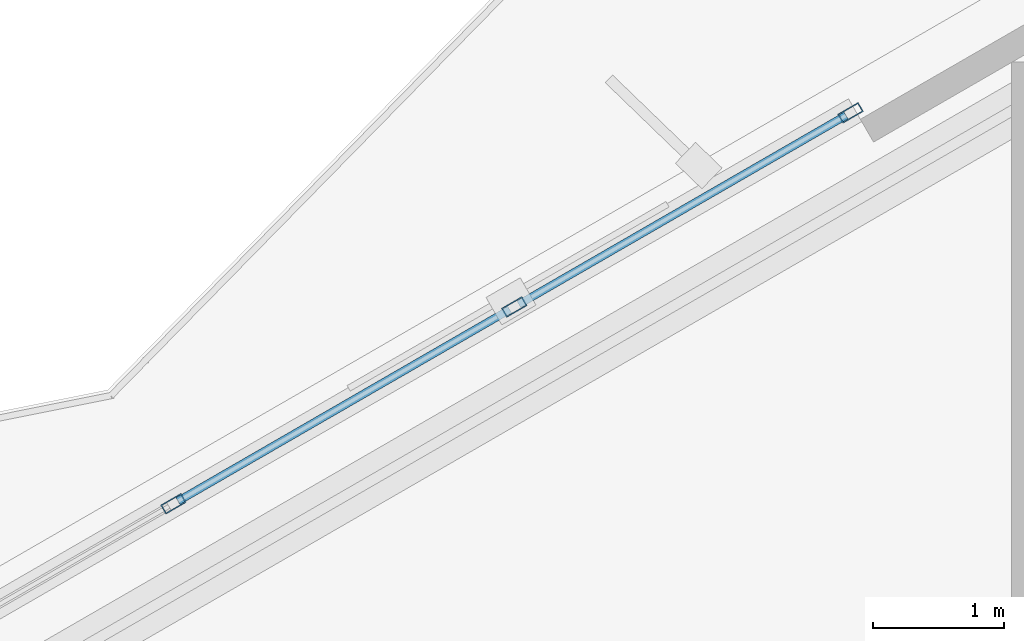
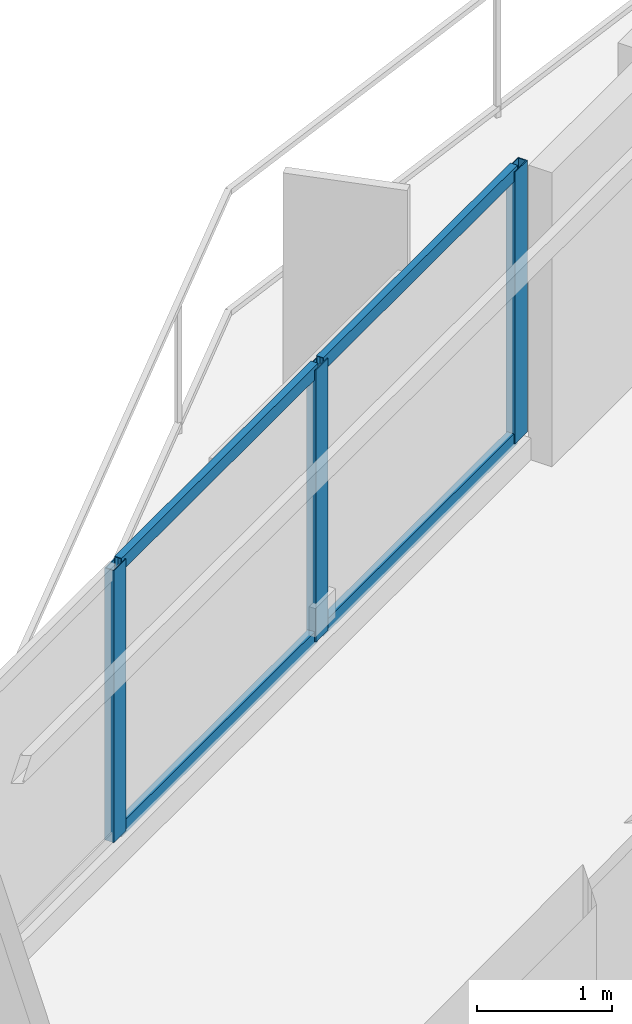
# One storey, part 9 of 16: 7 members, 1 element without a shape of its own.
"""IFC4 building model written with IfcOpenShell, lengths in metres."""

from ifc_helpers import new_model, si_unit, direction, frame, origin, origin_2d, place, context, subcontext, project, spatial, hollow_rectangle, extrude, material, layer, layer_set, material_profile, profile_set, type_object, element, aggregate, save


model = new_model("IFC4")

# Units and contexts
model_context = context("Model", 3, precision=1e-05, world=origin(), true_north=direction((0.0, 1.0)))
body_context = subcontext(model_context, "Body", "Model", "MODEL_VIEW")
ifc_project = project(units=[si_unit("LENGTHUNIT", "METRE"), si_unit("AREAUNIT", "SQUARE_METRE"), si_unit("VOLUMEUNIT", "CUBIC_METRE"), si_unit("PLANEANGLEUNIT", "RADIAN"), si_unit("MASSUNIT", "GRAM", prefix="KILO")], contexts=[model_context])

# Site, building, storey
site_placement = place(None, origin())
site = spatial("IfcSite", under=ifc_project, at=site_placement, CompositionType="ELEMENT")
building_placement = place(site_placement, origin())
building = spatial("IfcBuilding", under=site, at=building_placement, Name="Mersakhor Tower and Convention Hall", CompositionType="ELEMENT")
storey_placement = place(building_placement, frame((0.0, 0.0, 19.199951171875)))
storey = spatial("IfcBuildingStorey", under=building, at=storey_placement, Name="L04", CompositionType="ELEMENT", Elevation=19.199951171875)

# Curtain wall, members
ifc_material_1 = material(Name="Dark solar low-E aluminium curtain wall", Category="aluminium")
ifc_layer = layer(ifc_material_1, 0.18994140625)
ifc_layer_set = layer_set([ifc_layer], Name="Dark solar low-E aluminium curtain wall")
curtain_wall_type = type_object("IfcCurtainWallType", Name="CW-SYS-04", PredefinedType="USERDEFINED", material=ifc_layer_set)
curtain_wall_placement = place(storey_placement, origin())
curtain_wall = element("IfcCurtainWall", 1, at=curtain_wall_placement, inside=storey, type_object=curtain_wall_type, Name="L04 Dark-Glass Curtain Wall F1-B2", ObjectType="CURTAIN WALL", PredefinedType="USERDEFINED")
ifc_material_2 = material(Name="Anodised aluminium EN AW-6063 T6", Category="aluminium")
ifc_material_profile_1 = material_profile(ifc_material_2, hollow_rectangle(XDim=0.080078125, YDim=0.179931640625, WallThickness=0.008056640625, at=origin_2d()), Name="RHS 180x80x8")
ifc_profile_set_1 = profile_set([ifc_material_profile_1], Name="Anodised aluminium EN AW-6063 T6")
member_type_1 = type_object("IfcMemberType", Name="CWM-180x80", PredefinedType="MULLION", material=ifc_profile_set_1)
member_1_placement = place(storey_placement, frame((21.574951171875, 39.610595703125, 0.199951171875), z_axis=(0.0, 0.0, 1.0), x_axis=(-0.50000344889, 0.866023412558, 0.0)))
member_1 = element("IfcMember", 2, at=member_1_placement, type_object=member_type_1, Name="CW-04 mullion 3", PredefinedType="MULLION", context=body_context, shape_type="SweptSolid", body=[
    extrude(hollow_rectangle(XDim=0.080078125, YDim=0.179931640625, WallThickness=0.008056640625, at=origin_2d()), origin(), (0.0, 0.0, 1.0), 2.460205078125),
])
member_2_placement = place(storey_placement, frame((24.167236328125, 41.107177734375, 0.199951171875), z_axis=(0.0, 0.0, 1.0), x_axis=(-0.50000344889, 0.866023412558, 0.0)))
member_2 = element("IfcMember", 3, at=member_2_placement, type_object=member_type_1, Name="CW-04 mullion 4", PredefinedType="MULLION", context=body_context, shape_type="SweptSolid", body=[
    extrude(hollow_rectangle(XDim=0.080078125, YDim=0.179931640625, WallThickness=0.008056640625, at=origin_2d()), origin(), (0.0, 0.0, 1.0), 2.460205078125),
])
member_3_placement = place(storey_placement, frame((26.724853515625, 42.583740234375, 0.199951171875), z_axis=(0.0, 0.0, 1.0), x_axis=(-0.50000344889, 0.866023412558, 0.0)))
member_3 = element("IfcMember", 4, at=member_3_placement, type_object=member_type_1, Name="CW-04 mullion 5", PredefinedType="MULLION", context=body_context, shape_type="SweptSolid", body=[
    extrude(hollow_rectangle(XDim=0.080078125, YDim=0.179931640625, WallThickness=0.008056640625, at=origin_2d()), origin(), (0.0, 0.0, 1.0), 2.460205078125),
])
ifc_material_3 = material(Name="Anodised aluminium EN AW-6063 T6", Category="aluminium")
ifc_material_profile_2 = material_profile(ifc_material_3, hollow_rectangle(XDim=0.06005859375, YDim=0.1201171875, WallThickness=0.0048828125, at=origin_2d()), Name="RHS 120x60x5")
ifc_profile_set_2 = profile_set([ifc_material_profile_2], Name="Anodised aluminium EN AW-6063 T6")
member_type_2 = type_object("IfcMemberType", Name="CWT-120x60", PredefinedType="USERDEFINED", material=ifc_profile_set_2)
member_4_placement = place(storey_placement, frame((21.609619140625, 39.630615234375, 0.22998046875), z_axis=(0.866037657489, 0.499978775361, 0.0), x_axis=(-0.499978775361, 0.866037657489, 0.0)))
member_4 = element("IfcMember", 5, at=member_4_placement, type_object=member_type_2, Name="CW-04 transom 3.1", ObjectType="TRANSOM", PredefinedType="USERDEFINED", context=body_context, shape_type="SweptSolid", body=[
    extrude(hollow_rectangle(XDim=0.06005859375, YDim=0.1201171875, WallThickness=0.0048828125, at=origin_2d()), origin(), (0.0, 0.0, 1.0), 2.913330078125),
])
member_5_placement = place(storey_placement, frame((21.609619140625, 39.630615234375, 2.630126953125), z_axis=(0.866037657489, 0.499978775361, 0.0), x_axis=(-0.499978775361, 0.866037657489, 0.0)))
member_5 = element("IfcMember", 6, at=member_5_placement, type_object=member_type_2, Name="CW-04 transom 3.2", ObjectType="TRANSOM", PredefinedType="USERDEFINED", context=body_context, shape_type="SweptSolid", body=[
    extrude(hollow_rectangle(XDim=0.06005859375, YDim=0.1201171875, WallThickness=0.0048828125, at=origin_2d()), origin(), (0.0, 0.0, 1.0), 2.913330078125),
])
member_6_placement = place(storey_placement, frame((24.201904296875, 41.127197265625, 0.22998046875), z_axis=(0.866038426532, 0.499977443261, 0.0), x_axis=(-0.499977443261, 0.866038426532, 0.0)))
member_6 = element("IfcMember", 7, at=member_6_placement, type_object=member_type_2, Name="CW-04 transom 4.1", ObjectType="TRANSOM", PredefinedType="USERDEFINED", context=body_context, shape_type="SweptSolid", body=[
    extrude(hollow_rectangle(XDim=0.06005859375, YDim=0.1201171875, WallThickness=0.0048828125, at=origin_2d()), origin(), (0.0, 0.0, 1.0), 2.873291015625),
])
member_7_placement = place(storey_placement, frame((24.201904296875, 41.127197265625, 2.630126953125), z_axis=(0.866038426532, 0.499977443261, 0.0), x_axis=(-0.499977443261, 0.866038426532, 0.0)))
member_7 = element("IfcMember", 8, at=member_7_placement, type_object=member_type_2, Name="CW-04 transom 4.2", ObjectType="TRANSOM", PredefinedType="USERDEFINED", context=body_context, shape_type="SweptSolid", body=[
    extrude(hollow_rectangle(XDim=0.06005859375, YDim=0.1201171875, WallThickness=0.0048828125, at=origin_2d()), origin(), (0.0, 0.0, 1.0), 2.873291015625),
])
aggregate(curtain_wall, [member_1, member_2, member_3, member_4, member_5, member_6, member_7])

save(model, "model.ifc")
